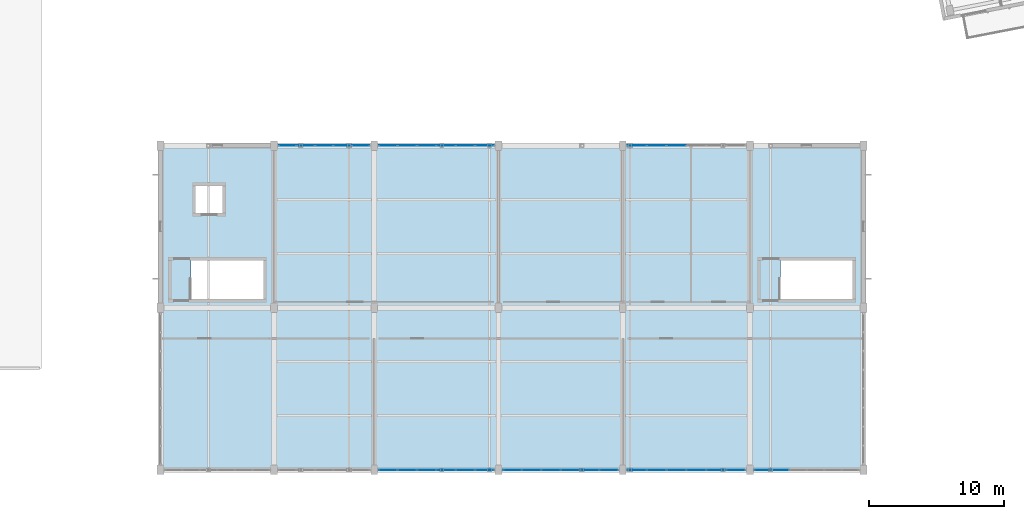
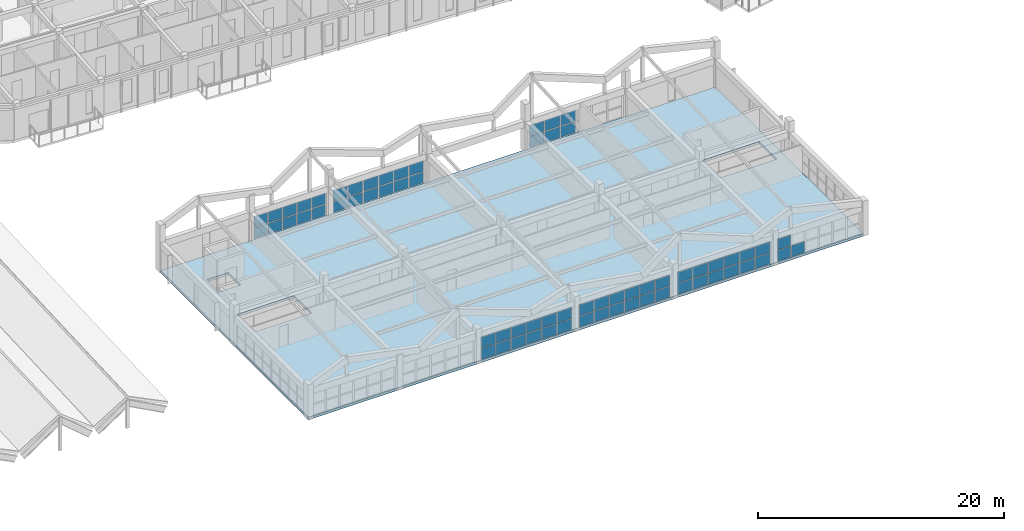
# One storey, part 67 of 127: 67 plates, 1 slab, 7 elements without a shape of their own.
"""IFC4 building model written with IfcOpenShell, lengths in metres."""

from ifc_helpers import new_model, si_unit, direction, frame, origin, origin_2d, place, context, subcontext, project, spatial, polyline, rectangle, outline, extrude, material, layer, layer_set, type_object, element, aggregate, save


model = new_model("IFC4")

# Units and contexts
model_context = context("Model", 3, precision=1e-05, world=origin(), true_north=direction((0.0, 1.0)))
body_context = subcontext(model_context, "Body", "Model", "MODEL_VIEW")
ifc_project = project(units=[si_unit("LENGTHUNIT", "METRE"), si_unit("AREAUNIT", "SQUARE_METRE"), si_unit("VOLUMEUNIT", "CUBIC_METRE"), si_unit("PLANEANGLEUNIT", "RADIAN"), si_unit("MASSUNIT", "GRAM", prefix="KILO")], contexts=[model_context])

# Site, building, storey
site_placement = place(None, origin())
site = spatial("IfcSite", under=ifc_project, at=site_placement, CompositionType="ELEMENT")
building_placement = place(site_placement, origin())
building = spatial("IfcBuilding", under=site, at=building_placement, Name="Kestramere Prow Commons", CompositionType="ELEMENT")
storey_placement = place(building_placement, frame((0.0, 0.0, 8.39990234375)))
storey = spatial("IfcBuildingStorey", under=building, at=storey_placement, Name="L02", CompositionType="ELEMENT", Elevation=8.39990234375)

# Curtain wall, plates
ifc_material_1 = material(Name="Anodised Aluminium and Low-E Glass", Category="aluminium")
curtain_wall_type_1 = type_object("IfcCurtainWallType", Name="CW-29 Glazed Curtain Wall 6800x2340", PredefinedType="USERDEFINED", material=ifc_material_1)
curtain_wall_1_placement = place(storey_placement, origin())
curtain_wall_1 = element("IfcCurtainWall", 1, at=curtain_wall_1_placement, inside=storey, type_object=curtain_wall_type_1, Name="Market L02 Courtyard Shopfront 2", ObjectType="GLAZED CURTAIN WALL", PredefinedType="USERDEFINED")
ifc_material_2 = material(Name="Low-E Laminated Double Glazing", Category="glass")
ifc_layer_1 = layer(ifc_material_2, 0.028076171875)
ifc_layer_set_1 = layer_set([ifc_layer_1], Name="Low-E Laminated Double Glazing")
plate_type = type_object("IfcPlateType", Name="CW-PNL-28", PredefinedType="CURTAIN_PANEL", material=ifc_layer_set_1)
plate_1_placement = place(storey_placement, frame((69.396240234375, 24.0, 0.06494140625), z_axis=(0.0, 0.0, 1.0), x_axis=(1.0, 0.0, 0.0)))
plate_1 = element("IfcPlate", 2, at=plate_1_placement, type_object=plate_type, Name="CW-29 panel 1.1", PredefinedType="CURTAIN_PANEL", context=body_context, shape_type="SweptSolid", body=[
    extrude(rectangle(XDim=1.262451171875, YDim=0.028076171875, at=origin_2d()), origin(), (0.0, 0.0, 1.0), 1.072509765625),
])
plate_2_placement = place(storey_placement, frame((69.396240234375, 24.0, 1.20263671875), z_axis=(0.0, 0.0, 1.0), x_axis=(1.0, 0.0, 0.0)))
plate_2 = element("IfcPlate", 3, at=plate_2_placement, type_object=plate_type, Name="CW-29 panel 1.2", PredefinedType="CURTAIN_PANEL", context=body_context, shape_type="SweptSolid", body=[
    extrude(rectangle(XDim=1.262451171875, YDim=0.028076171875, at=origin_2d()), origin(), (0.0, 0.0, 1.0), 1.072509765625),
])
plate_3_placement = place(storey_placement, frame((70.739990234375, 24.0, 0.06494140625), z_axis=(0.0, 0.0, 1.0), x_axis=(1.0, 0.0, 0.0)))
plate_3 = element("IfcPlate", 4, at=plate_3_placement, type_object=plate_type, Name="CW-29 panel 2.1", PredefinedType="CURTAIN_PANEL", context=body_context, shape_type="SweptSolid", body=[
    extrude(rectangle(XDim=1.294921875, YDim=0.028076171875, at=origin_2d()), origin(), (0.0, 0.0, 1.0), 1.072509765625),
])
plate_4_placement = place(storey_placement, frame((70.739990234375, 24.0, 1.20263671875), z_axis=(0.0, 0.0, 1.0), x_axis=(1.0, 0.0, 0.0)))
plate_4 = element("IfcPlate", 5, at=plate_4_placement, type_object=plate_type, Name="CW-29 panel 2.2", PredefinedType="CURTAIN_PANEL", context=body_context, shape_type="SweptSolid", body=[
    extrude(rectangle(XDim=1.294921875, YDim=0.028076171875, at=origin_2d()), origin(), (0.0, 0.0, 1.0), 1.072509765625),
])
plate_5_placement = place(storey_placement, frame((72.10009765625, 24.0, 0.06494140625), z_axis=(0.0, 0.0, 1.0), x_axis=(1.0, 0.0, 0.0)))
plate_5 = element("IfcPlate", 6, at=plate_5_placement, type_object=plate_type, Name="CW-29 panel 3.1", PredefinedType="CURTAIN_PANEL", context=body_context, shape_type="SweptSolid", body=[
    extrude(rectangle(XDim=1.294921875, YDim=0.028076171875, at=origin_2d()), origin(), (0.0, 0.0, 1.0), 1.072509765625),
])
plate_6_placement = place(storey_placement, frame((72.10009765625, 24.0, 1.20263671875), z_axis=(0.0, 0.0, 1.0), x_axis=(1.0, 0.0, 0.0)))
plate_6 = element("IfcPlate", 7, at=plate_6_placement, type_object=plate_type, Name="CW-29 panel 3.2", PredefinedType="CURTAIN_PANEL", context=body_context, shape_type="SweptSolid", body=[
    extrude(rectangle(XDim=1.294921875, YDim=0.028076171875, at=origin_2d()), origin(), (0.0, 0.0, 1.0), 1.072509765625),
])
plate_7_placement = place(storey_placement, frame((73.4599609375, 24.0, 0.06494140625), z_axis=(0.0, 0.0, 1.0), x_axis=(1.0, 0.0, 0.0)))
plate_7 = element("IfcPlate", 8, at=plate_7_placement, type_object=plate_type, Name="CW-29 panel 4.1", PredefinedType="CURTAIN_PANEL", context=body_context, shape_type="SweptSolid", body=[
    extrude(rectangle(XDim=1.294921875, YDim=0.028076171875, at=origin_2d()), origin(), (0.0, 0.0, 1.0), 1.072509765625),
])
plate_8_placement = place(storey_placement, frame((73.4599609375, 24.0, 1.20263671875), z_axis=(0.0, 0.0, 1.0), x_axis=(1.0, 0.0, 0.0)))
plate_8 = element("IfcPlate", 9, at=plate_8_placement, type_object=plate_type, Name="CW-29 panel 4.2", PredefinedType="CURTAIN_PANEL", context=body_context, shape_type="SweptSolid", body=[
    extrude(rectangle(XDim=1.294921875, YDim=0.028076171875, at=origin_2d()), origin(), (0.0, 0.0, 1.0), 1.072509765625),
])
plate_9_placement = place(storey_placement, frame((74.8037109375, 24.0, 0.06494140625), z_axis=(0.0, 0.0, 1.0), x_axis=(1.0, 0.0, 0.0)))
plate_9 = element("IfcPlate", 10, at=plate_9_placement, type_object=plate_type, Name="CW-29 panel 5.1", PredefinedType="CURTAIN_PANEL", context=body_context, shape_type="SweptSolid", body=[
    extrude(rectangle(XDim=1.262451171875, YDim=0.028076171875, at=origin_2d()), origin(), (0.0, 0.0, 1.0), 1.072509765625),
])
plate_10_placement = place(storey_placement, frame((74.8037109375, 24.0, 1.20263671875), z_axis=(0.0, 0.0, 1.0), x_axis=(1.0, 0.0, 0.0)))
plate_10 = element("IfcPlate", 11, at=plate_10_placement, type_object=plate_type, Name="CW-29 panel 5.2", PredefinedType="CURTAIN_PANEL", context=body_context, shape_type="SweptSolid", body=[
    extrude(rectangle(XDim=1.262451171875, YDim=0.028076171875, at=origin_2d()), origin(), (0.0, 0.0, 1.0), 1.072509765625),
])
aggregate(curtain_wall_1, [plate_1, plate_2, plate_3, plate_4, plate_5, plate_6, plate_7, plate_8, plate_9, plate_10])

curtain_wall_type_2 = type_object("IfcCurtainWallType", Name="CW-30 Glazed Curtain Wall 8600x2340", PredefinedType="USERDEFINED", material=ifc_material_1)
curtain_wall_2_placement = place(storey_placement, origin())
curtain_wall_2 = element("IfcCurtainWall", 12, at=curtain_wall_2_placement, inside=storey, type_object=curtain_wall_type_2, Name="Market L02 South Shopfront 3", ObjectType="GLAZED CURTAIN WALL", PredefinedType="USERDEFINED")
plate_11_placement = place(storey_placement, frame((83.967041015625, 0.0, 0.06494140625), z_axis=(0.0, 0.0, 1.0), x_axis=(-1.0, 0.0, 0.0)))
plate_11 = element("IfcPlate", 13, at=plate_11_placement, type_object=plate_type, Name="CW-30 panel 1.1", PredefinedType="CURTAIN_PANEL", context=body_context, shape_type="SweptSolid", body=[
    extrude(rectangle(XDim=1.3359375, YDim=0.028076171875, at=origin_2d()), origin(), (0.0, 0.0, 1.0), 1.072509765625),
])
plate_12_placement = place(storey_placement, frame((83.967041015625, 0.0, 1.20263671875), z_axis=(0.0, 0.0, 1.0), x_axis=(-1.0, 0.0, 0.0)))
plate_12 = element("IfcPlate", 14, at=plate_12_placement, type_object=plate_type, Name="CW-30 panel 1.2", PredefinedType="CURTAIN_PANEL", context=body_context, shape_type="SweptSolid", body=[
    extrude(rectangle(XDim=1.3359375, YDim=0.028076171875, at=origin_2d()), origin(), (0.0, 0.0, 1.0), 1.072509765625),
])
plate_13_placement = place(storey_placement, frame((82.550048828125, 0.0, 0.06494140625), z_axis=(0.0, 0.0, 1.0), x_axis=(-1.0, 0.0, 0.0)))
plate_13 = element("IfcPlate", 15, at=plate_13_placement, type_object=plate_type, Name="CW-30 panel 2.1", PredefinedType="CURTAIN_PANEL", context=body_context, shape_type="SweptSolid", body=[
    extrude(rectangle(XDim=1.368408203125, YDim=0.028076171875, at=origin_2d()), origin(), (0.0, 0.0, 1.0), 1.072509765625),
])
plate_14_placement = place(storey_placement, frame((82.550048828125, 0.0, 1.20263671875), z_axis=(0.0, 0.0, 1.0), x_axis=(-1.0, 0.0, 0.0)))
plate_14 = element("IfcPlate", 16, at=plate_14_placement, type_object=plate_type, Name="CW-30 panel 2.2", PredefinedType="CURTAIN_PANEL", context=body_context, shape_type="SweptSolid", body=[
    extrude(rectangle(XDim=1.368408203125, YDim=0.028076171875, at=origin_2d()), origin(), (0.0, 0.0, 1.0), 1.072509765625),
])
plate_15_placement = place(storey_placement, frame((81.11669921875, 0.0, 0.06494140625), z_axis=(0.0, 0.0, 1.0), x_axis=(-1.0, 0.0, 0.0)))
plate_15 = element("IfcPlate", 17, at=plate_15_placement, type_object=plate_type, Name="CW-30 panel 3.1", PredefinedType="CURTAIN_PANEL", context=body_context, shape_type="SweptSolid", body=[
    extrude(rectangle(XDim=1.368408203125, YDim=0.028076171875, at=origin_2d()), origin(), (0.0, 0.0, 1.0), 1.072509765625),
])
plate_16_placement = place(storey_placement, frame((81.11669921875, 0.0, 1.20263671875), z_axis=(0.0, 0.0, 1.0), x_axis=(-1.0, 0.0, 0.0)))
plate_16 = element("IfcPlate", 18, at=plate_16_placement, type_object=plate_type, Name="CW-30 panel 3.2", PredefinedType="CURTAIN_PANEL", context=body_context, shape_type="SweptSolid", body=[
    extrude(rectangle(XDim=1.368408203125, YDim=0.028076171875, at=origin_2d()), origin(), (0.0, 0.0, 1.0), 1.072509765625),
])
plate_17_placement = place(storey_placement, frame((79.683349609375, 0.0, 0.06494140625), z_axis=(0.0, 0.0, 1.0), x_axis=(-1.0, 0.0, 0.0)))
plate_17 = element("IfcPlate", 19, at=plate_17_placement, type_object=plate_type, Name="CW-30 panel 4.1", PredefinedType="CURTAIN_PANEL", context=body_context, shape_type="SweptSolid", body=[
    extrude(rectangle(XDim=1.368408203125, YDim=0.028076171875, at=origin_2d()), origin(), (0.0, 0.0, 1.0), 1.072509765625),
])
plate_18_placement = place(storey_placement, frame((79.683349609375, 0.0, 1.20263671875), z_axis=(0.0, 0.0, 1.0), x_axis=(-1.0, 0.0, 0.0)))
plate_18 = element("IfcPlate", 20, at=plate_18_placement, type_object=plate_type, Name="CW-30 panel 4.2", PredefinedType="CURTAIN_PANEL", context=body_context, shape_type="SweptSolid", body=[
    extrude(rectangle(XDim=1.368408203125, YDim=0.028076171875, at=origin_2d()), origin(), (0.0, 0.0, 1.0), 1.072509765625),
])
plate_19_placement = place(storey_placement, frame((78.25, 0.0, 0.06494140625), z_axis=(0.0, 0.0, 1.0), x_axis=(-1.0, 0.0, 0.0)))
plate_19 = element("IfcPlate", 21, at=plate_19_placement, type_object=plate_type, Name="CW-30 panel 5.1", PredefinedType="CURTAIN_PANEL", context=body_context, shape_type="SweptSolid", body=[
    extrude(rectangle(XDim=1.368408203125, YDim=0.028076171875, at=origin_2d()), origin(), (0.0, 0.0, 1.0), 1.072509765625),
])
plate_20_placement = place(storey_placement, frame((78.25, 0.0, 1.20263671875), z_axis=(0.0, 0.0, 1.0), x_axis=(-1.0, 0.0, 0.0)))
plate_20 = element("IfcPlate", 22, at=plate_20_placement, type_object=plate_type, Name="CW-30 panel 5.2", PredefinedType="CURTAIN_PANEL", context=body_context, shape_type="SweptSolid", body=[
    extrude(rectangle(XDim=1.368408203125, YDim=0.028076171875, at=origin_2d()), origin(), (0.0, 0.0, 1.0), 1.072509765625),
])
plate_21_placement = place(storey_placement, frame((76.8330078125, 0.0, 0.06494140625), z_axis=(0.0, 0.0, 1.0), x_axis=(-1.0, 0.0, 0.0)))
plate_21 = element("IfcPlate", 23, at=plate_21_placement, type_object=plate_type, Name="CW-30 panel 6.1", PredefinedType="CURTAIN_PANEL", context=body_context, shape_type="SweptSolid", body=[
    extrude(rectangle(XDim=1.3359375, YDim=0.028076171875, at=origin_2d()), origin(), (0.0, 0.0, 1.0), 1.072509765625),
])
plate_22_placement = place(storey_placement, frame((76.8330078125, 0.0, 1.20263671875), z_axis=(0.0, 0.0, 1.0), x_axis=(-1.0, 0.0, 0.0)))
plate_22 = element("IfcPlate", 24, at=plate_22_placement, type_object=plate_type, Name="CW-30 panel 6.2", PredefinedType="CURTAIN_PANEL", context=body_context, shape_type="SweptSolid", body=[
    extrude(rectangle(XDim=1.3359375, YDim=0.028076171875, at=origin_2d()), origin(), (0.0, 0.0, 1.0), 1.072509765625),
])
aggregate(curtain_wall_2, [plate_11, plate_12, plate_13, plate_14, plate_15, plate_16, plate_17, plate_18, plate_19, plate_20, plate_21, plate_22])

curtain_wall_3_placement = place(storey_placement, origin())
curtain_wall_3 = element("IfcCurtainWall", 25, at=curtain_wall_3_placement, inside=storey, type_object=curtain_wall_type_2, Name="Market L02 Courtyard Shopfront 3", ObjectType="GLAZED CURTAIN WALL", PredefinedType="USERDEFINED")
plate_23_placement = place(storey_placement, frame((76.8330078125, 24.0, 0.06494140625), z_axis=(0.0, 0.0, 1.0), x_axis=(1.0, 0.0, 0.0)))
plate_23 = element("IfcPlate", 26, at=plate_23_placement, type_object=plate_type, Name="CW-30 panel 1.1", PredefinedType="CURTAIN_PANEL", context=body_context, shape_type="SweptSolid", body=[
    extrude(rectangle(XDim=1.3359375, YDim=0.028076171875, at=origin_2d()), origin(), (0.0, 0.0, 1.0), 1.072509765625),
])
plate_24_placement = place(storey_placement, frame((76.8330078125, 24.0, 1.20263671875), z_axis=(0.0, 0.0, 1.0), x_axis=(1.0, 0.0, 0.0)))
plate_24 = element("IfcPlate", 27, at=plate_24_placement, type_object=plate_type, Name="CW-30 panel 1.2", PredefinedType="CURTAIN_PANEL", context=body_context, shape_type="SweptSolid", body=[
    extrude(rectangle(XDim=1.3359375, YDim=0.028076171875, at=origin_2d()), origin(), (0.0, 0.0, 1.0), 1.072509765625),
])
plate_25_placement = place(storey_placement, frame((78.25, 24.0, 0.06494140625), z_axis=(0.0, 0.0, 1.0), x_axis=(1.0, 0.0, 0.0)))
plate_25 = element("IfcPlate", 28, at=plate_25_placement, type_object=plate_type, Name="CW-30 panel 2.1", PredefinedType="CURTAIN_PANEL", context=body_context, shape_type="SweptSolid", body=[
    extrude(rectangle(XDim=1.368408203125, YDim=0.028076171875, at=origin_2d()), origin(), (0.0, 0.0, 1.0), 1.072509765625),
])
plate_26_placement = place(storey_placement, frame((78.25, 24.0, 1.20263671875), z_axis=(0.0, 0.0, 1.0), x_axis=(1.0, 0.0, 0.0)))
plate_26 = element("IfcPlate", 29, at=plate_26_placement, type_object=plate_type, Name="CW-30 panel 2.2", PredefinedType="CURTAIN_PANEL", context=body_context, shape_type="SweptSolid", body=[
    extrude(rectangle(XDim=1.368408203125, YDim=0.028076171875, at=origin_2d()), origin(), (0.0, 0.0, 1.0), 1.072509765625),
])
plate_27_placement = place(storey_placement, frame((79.683349609375, 24.0, 0.06494140625), z_axis=(0.0, 0.0, 1.0), x_axis=(1.0, 0.0, 0.0)))
plate_27 = element("IfcPlate", 30, at=plate_27_placement, type_object=plate_type, Name="CW-30 panel 3.1", PredefinedType="CURTAIN_PANEL", context=body_context, shape_type="SweptSolid", body=[
    extrude(rectangle(XDim=1.368408203125, YDim=0.028076171875, at=origin_2d()), origin(), (0.0, 0.0, 1.0), 1.072509765625),
])
plate_28_placement = place(storey_placement, frame((79.683349609375, 24.0, 1.20263671875), z_axis=(0.0, 0.0, 1.0), x_axis=(1.0, 0.0, 0.0)))
plate_28 = element("IfcPlate", 31, at=plate_28_placement, type_object=plate_type, Name="CW-30 panel 3.2", PredefinedType="CURTAIN_PANEL", context=body_context, shape_type="SweptSolid", body=[
    extrude(rectangle(XDim=1.368408203125, YDim=0.028076171875, at=origin_2d()), origin(), (0.0, 0.0, 1.0), 1.072509765625),
])
plate_29_placement = place(storey_placement, frame((81.11669921875, 24.0, 0.06494140625), z_axis=(0.0, 0.0, 1.0), x_axis=(1.0, 0.0, 0.0)))
plate_29 = element("IfcPlate", 32, at=plate_29_placement, type_object=plate_type, Name="CW-30 panel 4.1", PredefinedType="CURTAIN_PANEL", context=body_context, shape_type="SweptSolid", body=[
    extrude(rectangle(XDim=1.368408203125, YDim=0.028076171875, at=origin_2d()), origin(), (0.0, 0.0, 1.0), 1.072509765625),
])
plate_30_placement = place(storey_placement, frame((81.11669921875, 24.0, 1.20263671875), z_axis=(0.0, 0.0, 1.0), x_axis=(1.0, 0.0, 0.0)))
plate_30 = element("IfcPlate", 33, at=plate_30_placement, type_object=plate_type, Name="CW-30 panel 4.2", PredefinedType="CURTAIN_PANEL", context=body_context, shape_type="SweptSolid", body=[
    extrude(rectangle(XDim=1.368408203125, YDim=0.028076171875, at=origin_2d()), origin(), (0.0, 0.0, 1.0), 1.072509765625),
])
plate_31_placement = place(storey_placement, frame((82.550048828125, 24.0, 0.06494140625), z_axis=(0.0, 0.0, 1.0), x_axis=(1.0, 0.0, 0.0)))
plate_31 = element("IfcPlate", 34, at=plate_31_placement, type_object=plate_type, Name="CW-30 panel 5.1", PredefinedType="CURTAIN_PANEL", context=body_context, shape_type="SweptSolid", body=[
    extrude(rectangle(XDim=1.368408203125, YDim=0.028076171875, at=origin_2d()), origin(), (0.0, 0.0, 1.0), 1.072509765625),
])
plate_32_placement = place(storey_placement, frame((82.550048828125, 24.0, 1.20263671875), z_axis=(0.0, 0.0, 1.0), x_axis=(1.0, 0.0, 0.0)))
plate_32 = element("IfcPlate", 35, at=plate_32_placement, type_object=plate_type, Name="CW-30 panel 5.2", PredefinedType="CURTAIN_PANEL", context=body_context, shape_type="SweptSolid", body=[
    extrude(rectangle(XDim=1.368408203125, YDim=0.028076171875, at=origin_2d()), origin(), (0.0, 0.0, 1.0), 1.072509765625),
])
plate_33_placement = place(storey_placement, frame((83.967041015625, 24.0, 0.06494140625), z_axis=(0.0, 0.0, 1.0), x_axis=(1.0, 0.0, 0.0)))
plate_33 = element("IfcPlate", 36, at=plate_33_placement, type_object=plate_type, Name="CW-30 panel 6.1", PredefinedType="CURTAIN_PANEL", context=body_context, shape_type="SweptSolid", body=[
    extrude(rectangle(XDim=1.3359375, YDim=0.028076171875, at=origin_2d()), origin(), (0.0, 0.0, 1.0), 1.072509765625),
])
plate_34_placement = place(storey_placement, frame((83.967041015625, 24.0, 1.20263671875), z_axis=(0.0, 0.0, 1.0), x_axis=(1.0, 0.0, 0.0)))
plate_34 = element("IfcPlate", 37, at=plate_34_placement, type_object=plate_type, Name="CW-30 panel 6.2", PredefinedType="CURTAIN_PANEL", context=body_context, shape_type="SweptSolid", body=[
    extrude(rectangle(XDim=1.3359375, YDim=0.028076171875, at=origin_2d()), origin(), (0.0, 0.0, 1.0), 1.072509765625),
])
aggregate(curtain_wall_3, [plate_23, plate_24, plate_25, plate_26, plate_27, plate_28, plate_29, plate_30, plate_31, plate_32, plate_33, plate_34])

curtain_wall_4_placement = place(storey_placement, origin())
curtain_wall_4 = element("IfcCurtainWall", 38, at=curtain_wall_4_placement, inside=storey, type_object=curtain_wall_type_2, Name="Market L02 South Shopfront 4", ObjectType="GLAZED CURTAIN WALL", PredefinedType="USERDEFINED")
plate_35_placement = place(storey_placement, frame((93.1669921875, 0.0, 0.06494140625), z_axis=(0.0, 0.0, 1.0), x_axis=(-1.0, 0.0, 0.0)))
plate_35 = element("IfcPlate", 39, at=plate_35_placement, type_object=plate_type, Name="CW-30 panel 1.1", PredefinedType="CURTAIN_PANEL", context=body_context, shape_type="SweptSolid", body=[
    extrude(rectangle(XDim=1.3359375, YDim=0.028076171875, at=origin_2d()), origin(), (0.0, 0.0, 1.0), 1.072509765625),
])
plate_36_placement = place(storey_placement, frame((93.1669921875, 0.0, 1.20263671875), z_axis=(0.0, 0.0, 1.0), x_axis=(-1.0, 0.0, 0.0)))
plate_36 = element("IfcPlate", 40, at=plate_36_placement, type_object=plate_type, Name="CW-30 panel 1.2", PredefinedType="CURTAIN_PANEL", context=body_context, shape_type="SweptSolid", body=[
    extrude(rectangle(XDim=1.3359375, YDim=0.028076171875, at=origin_2d()), origin(), (0.0, 0.0, 1.0), 1.072509765625),
])
plate_37_placement = place(storey_placement, frame((91.75, 0.0, 0.06494140625), z_axis=(0.0, 0.0, 1.0), x_axis=(-1.0, 0.0, 0.0)))
plate_37 = element("IfcPlate", 41, at=plate_37_placement, type_object=plate_type, Name="CW-30 panel 2.1", PredefinedType="CURTAIN_PANEL", context=body_context, shape_type="SweptSolid", body=[
    extrude(rectangle(XDim=1.368408203125, YDim=0.028076171875, at=origin_2d()), origin(), (0.0, 0.0, 1.0), 1.072509765625),
])
plate_38_placement = place(storey_placement, frame((91.75, 0.0, 1.20263671875), z_axis=(0.0, 0.0, 1.0), x_axis=(-1.0, 0.0, 0.0)))
plate_38 = element("IfcPlate", 42, at=plate_38_placement, type_object=plate_type, Name="CW-30 panel 2.2", PredefinedType="CURTAIN_PANEL", context=body_context, shape_type="SweptSolid", body=[
    extrude(rectangle(XDim=1.368408203125, YDim=0.028076171875, at=origin_2d()), origin(), (0.0, 0.0, 1.0), 1.072509765625),
])
plate_39_placement = place(storey_placement, frame((90.316650390625, 0.0, 0.06494140625), z_axis=(0.0, 0.0, 1.0), x_axis=(-1.0, 0.0, 0.0)))
plate_39 = element("IfcPlate", 43, at=plate_39_placement, type_object=plate_type, Name="CW-30 panel 3.1", PredefinedType="CURTAIN_PANEL", context=body_context, shape_type="SweptSolid", body=[
    extrude(rectangle(XDim=1.368408203125, YDim=0.028076171875, at=origin_2d()), origin(), (0.0, 0.0, 1.0), 1.072509765625),
])
plate_40_placement = place(storey_placement, frame((90.316650390625, 0.0, 1.20263671875), z_axis=(0.0, 0.0, 1.0), x_axis=(-1.0, 0.0, 0.0)))
plate_40 = element("IfcPlate", 44, at=plate_40_placement, type_object=plate_type, Name="CW-30 panel 3.2", PredefinedType="CURTAIN_PANEL", context=body_context, shape_type="SweptSolid", body=[
    extrude(rectangle(XDim=1.368408203125, YDim=0.028076171875, at=origin_2d()), origin(), (0.0, 0.0, 1.0), 1.072509765625),
])
plate_41_placement = place(storey_placement, frame((88.88330078125, 0.0, 0.06494140625), z_axis=(0.0, 0.0, 1.0), x_axis=(-1.0, 0.0, 0.0)))
plate_41 = element("IfcPlate", 45, at=plate_41_placement, type_object=plate_type, Name="CW-30 panel 4.1", PredefinedType="CURTAIN_PANEL", context=body_context, shape_type="SweptSolid", body=[
    extrude(rectangle(XDim=1.368408203125, YDim=0.028076171875, at=origin_2d()), origin(), (0.0, 0.0, 1.0), 1.072509765625),
])
plate_42_placement = place(storey_placement, frame((88.88330078125, 0.0, 1.20263671875), z_axis=(0.0, 0.0, 1.0), x_axis=(-1.0, 0.0, 0.0)))
plate_42 = element("IfcPlate", 46, at=plate_42_placement, type_object=plate_type, Name="CW-30 panel 4.2", PredefinedType="CURTAIN_PANEL", context=body_context, shape_type="SweptSolid", body=[
    extrude(rectangle(XDim=1.368408203125, YDim=0.028076171875, at=origin_2d()), origin(), (0.0, 0.0, 1.0), 1.072509765625),
])
plate_43_placement = place(storey_placement, frame((87.449951171875, 0.0, 0.06494140625), z_axis=(0.0, 0.0, 1.0), x_axis=(-1.0, 0.0, 0.0)))
plate_43 = element("IfcPlate", 47, at=plate_43_placement, type_object=plate_type, Name="CW-30 panel 5.1", PredefinedType="CURTAIN_PANEL", context=body_context, shape_type="SweptSolid", body=[
    extrude(rectangle(XDim=1.368408203125, YDim=0.028076171875, at=origin_2d()), origin(), (0.0, 0.0, 1.0), 1.072509765625),
])
plate_44_placement = place(storey_placement, frame((87.449951171875, 0.0, 1.20263671875), z_axis=(0.0, 0.0, 1.0), x_axis=(-1.0, 0.0, 0.0)))
plate_44 = element("IfcPlate", 48, at=plate_44_placement, type_object=plate_type, Name="CW-30 panel 5.2", PredefinedType="CURTAIN_PANEL", context=body_context, shape_type="SweptSolid", body=[
    extrude(rectangle(XDim=1.368408203125, YDim=0.028076171875, at=origin_2d()), origin(), (0.0, 0.0, 1.0), 1.072509765625),
])
plate_45_placement = place(storey_placement, frame((86.032958984375, 0.0, 0.06494140625), z_axis=(0.0, 0.0, 1.0), x_axis=(-1.0, 0.0, 0.0)))
plate_45 = element("IfcPlate", 49, at=plate_45_placement, type_object=plate_type, Name="CW-30 panel 6.1", PredefinedType="CURTAIN_PANEL", context=body_context, shape_type="SweptSolid", body=[
    extrude(rectangle(XDim=1.3359375, YDim=0.028076171875, at=origin_2d()), origin(), (0.0, 0.0, 1.0), 1.072509765625),
])
plate_46_placement = place(storey_placement, frame((86.032958984375, 0.0, 1.20263671875), z_axis=(0.0, 0.0, 1.0), x_axis=(-1.0, 0.0, 0.0)))
plate_46 = element("IfcPlate", 50, at=plate_46_placement, type_object=plate_type, Name="CW-30 panel 6.2", PredefinedType="CURTAIN_PANEL", context=body_context, shape_type="SweptSolid", body=[
    extrude(rectangle(XDim=1.3359375, YDim=0.028076171875, at=origin_2d()), origin(), (0.0, 0.0, 1.0), 1.072509765625),
])
aggregate(curtain_wall_4, [plate_35, plate_36, plate_37, plate_38, plate_39, plate_40, plate_41, plate_42, plate_43, plate_44, plate_45, plate_46])

curtain_wall_type_3 = type_object("IfcCurtainWallType", Name="CW-31 Glazed Curtain Wall 8800x2340", PredefinedType="USERDEFINED", material=ifc_material_1)
curtain_wall_5_placement = place(storey_placement, origin())
curtain_wall_5 = element("IfcCurtainWall", 51, at=curtain_wall_5_placement, inside=storey, type_object=curtain_wall_type_3, Name="Market L02 South Shopfront 5", ObjectType="GLAZED CURTAIN WALL", PredefinedType="USERDEFINED")
plate_47_placement = place(storey_placement, frame((102.550537109375, 0.0, 0.06494140625), z_axis=(0.0, 0.0, 1.0), x_axis=(-1.0, 0.0, 0.0)))
plate_47 = element("IfcPlate", 52, at=plate_47_placement, type_object=plate_type, Name="CW-31 panel 1.1", PredefinedType="CURTAIN_PANEL", context=body_context, shape_type="SweptSolid", body=[
    extrude(rectangle(XDim=1.369140625, YDim=0.028076171875, at=origin_2d()), origin(), (0.0, 0.0, 1.0), 1.072509765625),
])
plate_48_placement = place(storey_placement, frame((102.550537109375, 0.0, 1.20263671875), z_axis=(0.0, 0.0, 1.0), x_axis=(-1.0, 0.0, 0.0)))
plate_48 = element("IfcPlate", 53, at=plate_48_placement, type_object=plate_type, Name="CW-31 panel 1.2", PredefinedType="CURTAIN_PANEL", context=body_context, shape_type="SweptSolid", body=[
    extrude(rectangle(XDim=1.369140625, YDim=0.028076171875, at=origin_2d()), origin(), (0.0, 0.0, 1.0), 1.072509765625),
])
plate_49_placement = place(storey_placement, frame((101.10009765625, 0.0, 0.06494140625), z_axis=(0.0, 0.0, 1.0), x_axis=(-1.0, 0.0, 0.0)))
plate_49 = element("IfcPlate", 54, at=plate_49_placement, type_object=plate_type, Name="CW-31 panel 2.1", PredefinedType="CURTAIN_PANEL", context=body_context, shape_type="SweptSolid", body=[
    extrude(rectangle(XDim=1.401611328125, YDim=0.028076171875, at=origin_2d()), origin(), (0.0, 0.0, 1.0), 1.072509765625),
])
plate_50_placement = place(storey_placement, frame((101.10009765625, 0.0, 1.20263671875), z_axis=(0.0, 0.0, 1.0), x_axis=(-1.0, 0.0, 0.0)))
plate_50 = element("IfcPlate", 55, at=plate_50_placement, type_object=plate_type, Name="CW-31 panel 2.2", PredefinedType="CURTAIN_PANEL", context=body_context, shape_type="SweptSolid", body=[
    extrude(rectangle(XDim=1.401611328125, YDim=0.028076171875, at=origin_2d()), origin(), (0.0, 0.0, 1.0), 1.072509765625),
])
plate_51_placement = place(storey_placement, frame((99.63330078125, 0.0, 0.06494140625), z_axis=(0.0, 0.0, 1.0), x_axis=(-1.0, 0.0, 0.0)))
plate_51 = element("IfcPlate", 56, at=plate_51_placement, type_object=plate_type, Name="CW-31 panel 3.1", PredefinedType="CURTAIN_PANEL", context=body_context, shape_type="SweptSolid", body=[
    extrude(rectangle(XDim=1.401611328125, YDim=0.028076171875, at=origin_2d()), origin(), (0.0, 0.0, 1.0), 1.072509765625),
])
plate_52_placement = place(storey_placement, frame((99.63330078125, 0.0, 1.20263671875), z_axis=(0.0, 0.0, 1.0), x_axis=(-1.0, 0.0, 0.0)))
plate_52 = element("IfcPlate", 57, at=plate_52_placement, type_object=plate_type, Name="CW-31 panel 3.2", PredefinedType="CURTAIN_PANEL", context=body_context, shape_type="SweptSolid", body=[
    extrude(rectangle(XDim=1.401611328125, YDim=0.028076171875, at=origin_2d()), origin(), (0.0, 0.0, 1.0), 1.072509765625),
])
plate_53_placement = place(storey_placement, frame((98.166748046875, 0.0, 0.06494140625), z_axis=(0.0, 0.0, 1.0), x_axis=(-1.0, 0.0, 0.0)))
plate_53 = element("IfcPlate", 58, at=plate_53_placement, type_object=plate_type, Name="CW-31 panel 4.1", PredefinedType="CURTAIN_PANEL", context=body_context, shape_type="SweptSolid", body=[
    extrude(rectangle(XDim=1.401611328125, YDim=0.028076171875, at=origin_2d()), origin(), (0.0, 0.0, 1.0), 1.072509765625),
])
plate_54_placement = place(storey_placement, frame((98.166748046875, 0.0, 1.20263671875), z_axis=(0.0, 0.0, 1.0), x_axis=(-1.0, 0.0, 0.0)))
plate_54 = element("IfcPlate", 59, at=plate_54_placement, type_object=plate_type, Name="CW-31 panel 4.2", PredefinedType="CURTAIN_PANEL", context=body_context, shape_type="SweptSolid", body=[
    extrude(rectangle(XDim=1.401611328125, YDim=0.028076171875, at=origin_2d()), origin(), (0.0, 0.0, 1.0), 1.072509765625),
])
plate_55_placement = place(storey_placement, frame((96.699951171875, 0.0, 0.06494140625), z_axis=(0.0, 0.0, 1.0), x_axis=(-1.0, 0.0, 0.0)))
plate_55 = element("IfcPlate", 60, at=plate_55_placement, type_object=plate_type, Name="CW-31 panel 5.1", PredefinedType="CURTAIN_PANEL", context=body_context, shape_type="SweptSolid", body=[
    extrude(rectangle(XDim=1.401611328125, YDim=0.028076171875, at=origin_2d()), origin(), (0.0, 0.0, 1.0), 1.072509765625),
])
plate_56_placement = place(storey_placement, frame((96.699951171875, 0.0, 1.20263671875), z_axis=(0.0, 0.0, 1.0), x_axis=(-1.0, 0.0, 0.0)))
plate_56 = element("IfcPlate", 61, at=plate_56_placement, type_object=plate_type, Name="CW-31 panel 5.2", PredefinedType="CURTAIN_PANEL", context=body_context, shape_type="SweptSolid", body=[
    extrude(rectangle(XDim=1.401611328125, YDim=0.028076171875, at=origin_2d()), origin(), (0.0, 0.0, 1.0), 1.072509765625),
])
plate_57_placement = place(storey_placement, frame((95.24951171875, 0.0, 0.06494140625), z_axis=(0.0, 0.0, 1.0), x_axis=(-1.0, 0.0, 0.0)))
plate_57 = element("IfcPlate", 62, at=plate_57_placement, type_object=plate_type, Name="CW-31 panel 6.1", PredefinedType="CURTAIN_PANEL", context=body_context, shape_type="SweptSolid", body=[
    extrude(rectangle(XDim=1.369140625, YDim=0.028076171875, at=origin_2d()), origin(), (0.0, 0.0, 1.0), 1.072509765625),
])
plate_58_placement = place(storey_placement, frame((95.24951171875, 0.0, 1.20263671875), z_axis=(0.0, 0.0, 1.0), x_axis=(-1.0, 0.0, 0.0)))
plate_58 = element("IfcPlate", 63, at=plate_58_placement, type_object=plate_type, Name="CW-31 panel 6.2", PredefinedType="CURTAIN_PANEL", context=body_context, shape_type="SweptSolid", body=[
    extrude(rectangle(XDim=1.369140625, YDim=0.028076171875, at=origin_2d()), origin(), (0.0, 0.0, 1.0), 1.072509765625),
])
aggregate(curtain_wall_5, [plate_47, plate_48, plate_49, plate_50, plate_51, plate_52, plate_53, plate_54, plate_55, plate_56, plate_57, plate_58])

curtain_wall_6_placement = place(storey_placement, origin())
curtain_wall_6 = element("IfcCurtainWall", 64, at=curtain_wall_6_placement, inside=storey, type_object=curtain_wall_type_3, Name="Market L02 Courtyard Shopfront 5", ObjectType="GLAZED CURTAIN WALL", PredefinedType="USERDEFINED")
plate_59_placement = place(storey_placement, frame((95.24951171875, 24.0, 0.06494140625), z_axis=(0.0, 0.0, 1.0), x_axis=(1.0, 0.0, 0.0)))
plate_59 = element("IfcPlate", 65, at=plate_59_placement, type_object=plate_type, Name="CW-31 panel 1.1", PredefinedType="CURTAIN_PANEL", context=body_context, shape_type="SweptSolid", body=[
    extrude(rectangle(XDim=1.369140625, YDim=0.028076171875, at=origin_2d()), origin(), (0.0, 0.0, 1.0), 1.072509765625),
])
plate_60_placement = place(storey_placement, frame((95.24951171875, 24.0, 1.20263671875), z_axis=(0.0, 0.0, 1.0), x_axis=(1.0, 0.0, 0.0)))
plate_60 = element("IfcPlate", 66, at=plate_60_placement, type_object=plate_type, Name="CW-31 panel 1.2", PredefinedType="CURTAIN_PANEL", context=body_context, shape_type="SweptSolid", body=[
    extrude(rectangle(XDim=1.369140625, YDim=0.028076171875, at=origin_2d()), origin(), (0.0, 0.0, 1.0), 1.072509765625),
])
plate_61_placement = place(storey_placement, frame((96.699951171875, 24.0, 0.06494140625), z_axis=(0.0, 0.0, 1.0), x_axis=(1.0, 0.0, 0.0)))
plate_61 = element("IfcPlate", 67, at=plate_61_placement, type_object=plate_type, Name="CW-31 panel 2.1", PredefinedType="CURTAIN_PANEL", context=body_context, shape_type="SweptSolid", body=[
    extrude(rectangle(XDim=1.401611328125, YDim=0.028076171875, at=origin_2d()), origin(), (0.0, 0.0, 1.0), 1.072509765625),
])
plate_62_placement = place(storey_placement, frame((96.699951171875, 24.0, 1.20263671875), z_axis=(0.0, 0.0, 1.0), x_axis=(1.0, 0.0, 0.0)))
plate_62 = element("IfcPlate", 68, at=plate_62_placement, type_object=plate_type, Name="CW-31 panel 2.2", PredefinedType="CURTAIN_PANEL", context=body_context, shape_type="SweptSolid", body=[
    extrude(rectangle(XDim=1.401611328125, YDim=0.028076171875, at=origin_2d()), origin(), (0.0, 0.0, 1.0), 1.072509765625),
])
plate_63_placement = place(storey_placement, frame((98.166748046875, 24.0, 0.06494140625), z_axis=(0.0, 0.0, 1.0), x_axis=(1.0, 0.0, 0.0)))
plate_63 = element("IfcPlate", 69, at=plate_63_placement, type_object=plate_type, Name="CW-31 panel 3.1", PredefinedType="CURTAIN_PANEL", context=body_context, shape_type="SweptSolid", body=[
    extrude(rectangle(XDim=1.401611328125, YDim=0.028076171875, at=origin_2d()), origin(), (0.0, 0.0, 1.0), 1.072509765625),
])
plate_64_placement = place(storey_placement, frame((98.166748046875, 24.0, 1.20263671875), z_axis=(0.0, 0.0, 1.0), x_axis=(1.0, 0.0, 0.0)))
plate_64 = element("IfcPlate", 70, at=plate_64_placement, type_object=plate_type, Name="CW-31 panel 3.2", PredefinedType="CURTAIN_PANEL", context=body_context, shape_type="SweptSolid", body=[
    extrude(rectangle(XDim=1.401611328125, YDim=0.028076171875, at=origin_2d()), origin(), (0.0, 0.0, 1.0), 1.072509765625),
])
aggregate(curtain_wall_6, [plate_59, plate_60, plate_61, plate_62, plate_63, plate_64])

curtain_wall_type_4 = type_object("IfcCurtainWallType", Name="CW-28 Glazed Curtain Wall 7800x2340", PredefinedType="USERDEFINED", material=ifc_material_1)
curtain_wall_7_placement = place(storey_placement, origin())
curtain_wall_7 = element("IfcCurtainWall", 71, at=curtain_wall_7_placement, inside=storey, type_object=curtain_wall_type_4, Name="Market L02 South Shopfront 6", ObjectType="GLAZED CURTAIN WALL", PredefinedType="USERDEFINED")
plate_65_placement = place(storey_placement, frame((105.85009765625, 0.0, 0.06494140625), z_axis=(0.0, 0.0, 1.0), x_axis=(-1.0, 0.0, 0.0)))
plate_65 = element("IfcPlate", 72, at=plate_65_placement, type_object=plate_type, Name="CW-28 panel 5.1", PredefinedType="CURTAIN_PANEL", context=body_context, shape_type="SweptSolid", body=[
    extrude(rectangle(XDim=1.235107421875, YDim=0.028076171875, at=origin_2d()), origin(), (0.0, 0.0, 1.0), 1.072509765625),
])
plate_66_placement = place(storey_placement, frame((104.566162109375, 0.0, 0.06494140625), z_axis=(0.0, 0.0, 1.0), x_axis=(-1.0, 0.0, 0.0)))
plate_66 = element("IfcPlate", 73, at=plate_66_placement, type_object=plate_type, Name="CW-28 panel 6.1", PredefinedType="CURTAIN_PANEL", context=body_context, shape_type="SweptSolid", body=[
    extrude(rectangle(XDim=1.202392578125, YDim=0.028076171875, at=origin_2d()), origin(), (0.0, 0.0, 1.0), 1.072509765625),
])
plate_67_placement = place(storey_placement, frame((104.566162109375, 0.0, 1.20263671875), z_axis=(0.0, 0.0, 1.0), x_axis=(-1.0, 0.0, 0.0)))
plate_67 = element("IfcPlate", 74, at=plate_67_placement, type_object=plate_type, Name="CW-28 panel 6.2", PredefinedType="CURTAIN_PANEL", context=body_context, shape_type="SweptSolid", body=[
    extrude(rectangle(XDim=1.202392578125, YDim=0.028076171875, at=origin_2d()), origin(), (0.0, 0.0, 1.0), 1.072509765625),
])
aggregate(curtain_wall_7, [plate_65, plate_66, plate_67])

# Slab
ifc_material_3 = material(Name="Precast concrete C40/50", Category="concrete")
ifc_layer_2 = layer(ifc_material_3, 0.25)
ifc_layer_set_2 = layer_set([ifc_layer_2], Name="Precast concrete C40/50")
slab_type = type_object("IfcSlabType", Name="SL-HC-250", PredefinedType="FLOOR", material=ifc_layer_set_2)
slab_placement = place(storey_placement, frame((0.0, 0.0, -0.25)))
element("IfcSlab", 75, at=slab_placement, inside=storey, type_object=slab_type, Name="Market Spine L02 Floor Slab", PredefinedType="FLOOR", context=body_context, shape_type="SweptSolid", body=[
    extrude(outline(polyline([(60.0, 0.0), (112.0, 0.0), (112.0, 24.0), (60.0, 24.0), (60.0, 0.0)]), holes=[polyline([(62.60009765625, 19.0), (64.60009765625, 19.0), (64.60009765625, 21.0), (62.60009765625, 21.0), (62.60009765625, 19.0)]), polyline([(62.25, 12.64990234375), (67.60009765625, 12.64990234375), (67.60009765625, 15.5), (62.25, 15.5), (62.25, 12.64990234375)]), polyline([(105.85009765625, 12.64990234375), (111.199951171875, 12.64990234375), (111.199951171875, 15.5), (105.85009765625, 15.5), (105.85009765625, 12.64990234375)])]), origin(), (0.0, 0.0, 1.0), 0.25),
])

save(model, "model.ifc")
